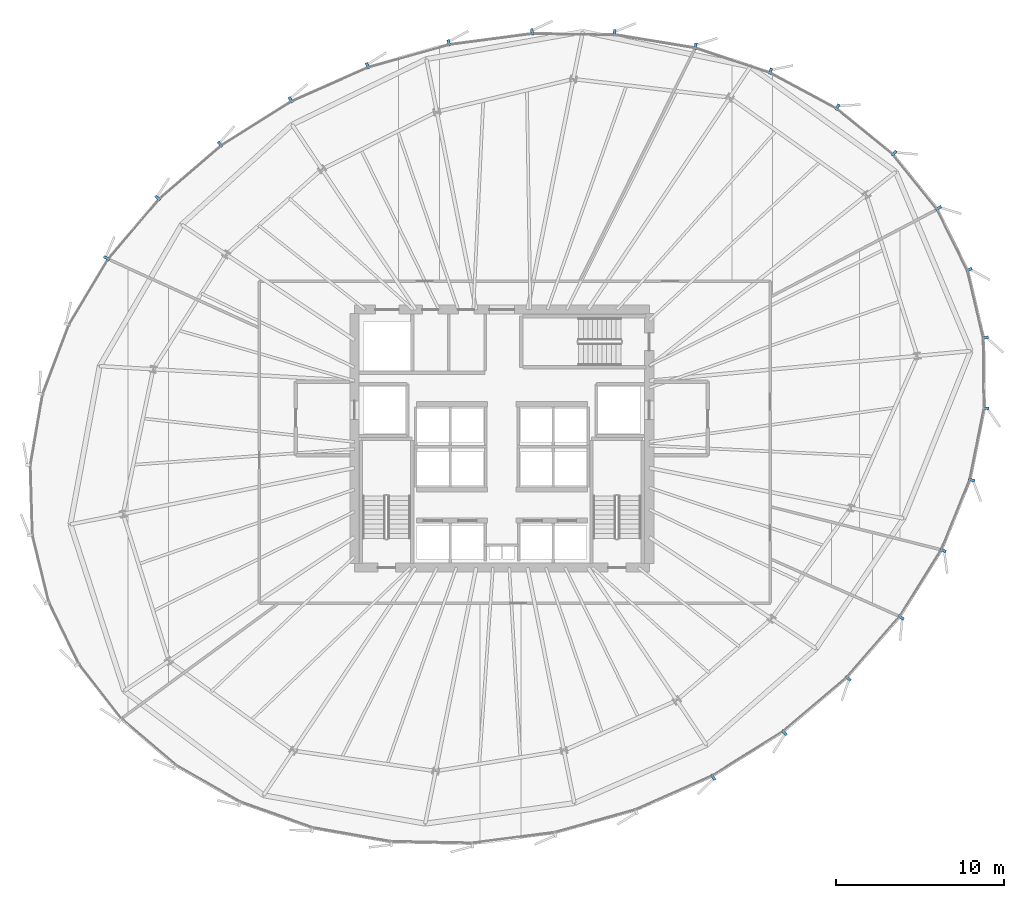
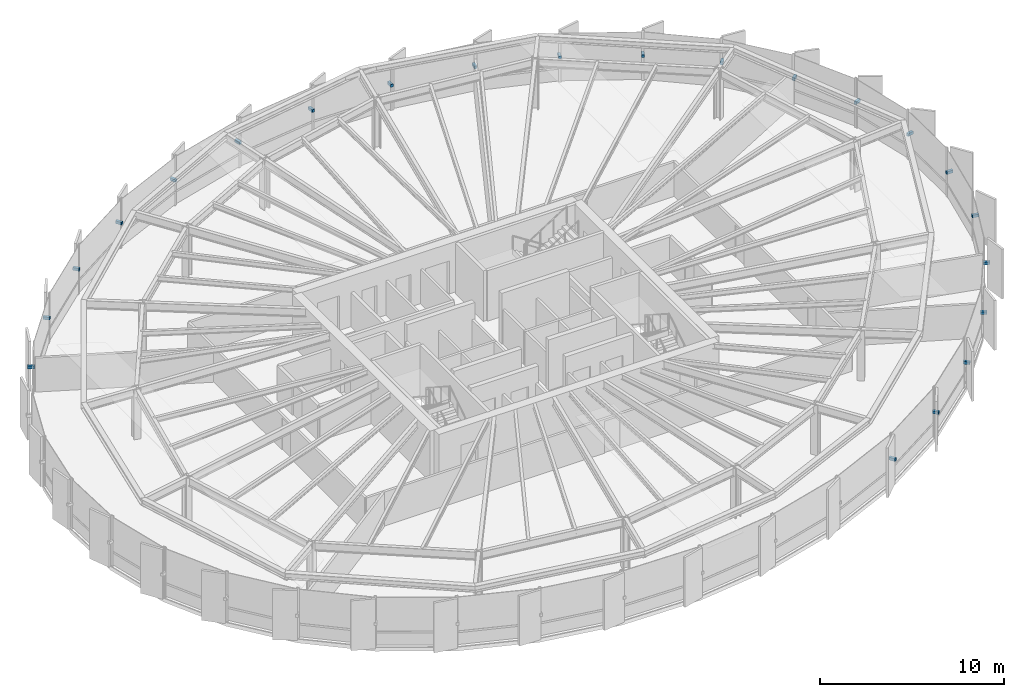
# One storey, part 29 of 33: 22 discrete accessories.
"""IFC4 building model written with IfcOpenShell, lengths in metres."""

import ifcopenshell
import ifcopenshell.guid

model = None  # the IFC model being written
_history = None  # IfcOwnerHistory: only IFC2X3 demands one
_inside = {}  # id of a spatial element -> (the spatial element, [elements in it])
_under = {}  # id of a project, library or spatial element -> (it, [spatial elements below it])
_declared = {}  # id of a project -> (the project, [libraries it declares])
_typed = {}  # id of a type object -> (the type object, [elements of that type])
_made_of = {}  # id of a material, layer set ... -> (it, [elements and type objects made of it])


def new_model(schema):
    """Start an empty IFC model of exactly this schema.

    Asked for "IFC4X3", IfcOpenShell would pick the latest addendum, in which some entities
    have other attributes; the version numbers below select the first issue.
    IFC2X3 requires an IfcOwnerHistory on every rooted entity: one is made here for all.
    """
    global model, _history
    if schema == "IFC4X3":
        model = ifcopenshell.file(schema_version=(4, 3, 0, 0))
    else:
        model = ifcopenshell.file(schema=schema)
    _inside.clear()
    _under.clear()
    _declared.clear()
    _typed.clear()
    _made_of.clear()
    _history = None
    if model.schema == "IFC2X3":
        org = make("IfcOrganization", Name="unknown")
        user = make(
            "IfcPersonAndOrganization",
            ThePerson=make("IfcPerson", FamilyName="unknown"),
            TheOrganization=org,
        )
        app = make(
            "IfcApplication",
            ApplicationDeveloper=org,
            Version="unknown",
            ApplicationFullName="unknown",
            ApplicationIdentifier="unknown",
        )
        _history = make(
            "IfcOwnerHistory",
            OwningUser=user,
            OwningApplication=app,
            ChangeAction="ADDED",
            CreationDate=0,
        )
    return model


def make(cls, **values):
    """One entity of the class cls with the attributes given. An attribute that is None is left unset."""
    return model.create_entity(
        cls, **{name: value for name, value in values.items() if value is not None}
    )


def rooted(cls, **values):
    """An entity with a GlobalId (a new one), such as an element, a storey or a relation."""
    return make(cls, GlobalId=ifcopenshell.guid.new(), OwnerHistory=_history, **values)


def si_unit(unit_type, name, prefix=None):
    """IfcSIUnit, for example si_unit("LENGTHUNIT", "METRE", prefix="MILLI")."""
    return make("IfcSIUnit", UnitType=unit_type, Prefix=prefix, Name=name)


def assignment(units):
    """IfcUnitAssignment: the units of a project."""
    return None if units is None else make("IfcUnitAssignment", Units=units)


def point(xyz):
    """IfcCartesianPoint."""
    return None if xyz is None else make("IfcCartesianPoint", Coordinates=xyz)


def direction(xyz):
    """IfcDirection."""
    return None if xyz is None else make("IfcDirection", DirectionRatios=xyz)


def frame(location, z_axis=None, x_axis=None):
    """IfcAxis2Placement3D, a coordinate frame: its origin and axes. An axis left out is left unset."""
    return make(
        "IfcAxis2Placement3D",
        Location=point(location),
        Axis=direction(z_axis),
        RefDirection=direction(x_axis),
    )


def frame_2d(location, x_axis=None):
    """IfcAxis2Placement2D, a coordinate frame in the plane: its origin and x axis."""
    return make(
        "IfcAxis2Placement2D", Location=point(location), RefDirection=direction(x_axis)
    )


def origin():
    """The frame at (0, 0, 0) with its axes left unset."""
    return frame((0.0, 0.0, 0.0))


def origin_2d():
    """The frame at (0, 0) in the plane with its x axis left unset."""
    return frame_2d((0.0, 0.0))


def place(relative_to, where):
    """IfcLocalPlacement: puts the frame where relative to a parent placement (None: the world)."""
    return make(
        "IfcLocalPlacement", PlacementRelTo=relative_to, RelativePlacement=where
    )


def context(
    kind, dimensions, precision=None, world=None, true_north=None, identifier=None
):
    """IfcGeometricRepresentationContext, for example the 3D "Model" context."""
    return make(
        "IfcGeometricRepresentationContext",
        ContextIdentifier=identifier,
        ContextType=kind,
        CoordinateSpaceDimension=dimensions,
        Precision=precision,
        WorldCoordinateSystem=world,
        TrueNorth=true_north,
    )


def subcontext(parent, identifier, kind, view, scale=None):
    """IfcGeometricRepresentationSubContext, for example "Body" below "Model"."""
    return make(
        "IfcGeometricRepresentationSubContext",
        ContextIdentifier=identifier,
        ContextType=kind,
        ParentContext=parent,
        TargetScale=scale,
        TargetView=view,
    )


def project(units=None, contexts=None):
    """IfcProject with its units and contexts."""
    return rooted(
        "IfcProject",
        Name="project",
        RepresentationContexts=contexts,
        UnitsInContext=assignment(units),
    )


def spatial(cls, under=None, at=None, **own):
    """A site, building, storey or space (cls), placed at a placement, below another one or the project."""
    s = rooted(cls, ObjectPlacement=at, **own)
    if under is not None:
        _under.setdefault(under.id(), (under, []))[1].append(s)
    return s


def profile(cls, at=None, kind="AREA", **sizes):
    """A parametric profile (cls). Its sizes go by their IFC names, for example OverallWidth=200.0."""
    return make(cls, ProfileType=kind, Position=at, **sizes)


def rectangle(**sizes):
    """IfcRectangleProfileDef."""
    return profile("IfcRectangleProfileDef", **sizes)


def extrude(swept, where, along, depth):
    """IfcExtrudedAreaSolid: the profile swept, set in the frame where, extruded along a direction by depth."""
    return make(
        "IfcExtrudedAreaSolid",
        SweptArea=swept,
        Position=where,
        ExtrudedDirection=direction(along),
        Depth=depth,
    )


def shape(context_of_items, identifier, shape_type, items):
    """IfcShapeRepresentation: the items that make up one representation, for example the "Body"."""
    return make(
        "IfcShapeRepresentation",
        ContextOfItems=context_of_items,
        RepresentationIdentifier=identifier,
        RepresentationType=shape_type,
        Items=items,
    )


def source(mapping_origin, context_of_items, identifier, shape_type, items):
    """IfcRepresentationMap: a shape defined once, which mapped items show again and again."""
    return make(
        "IfcRepresentationMap",
        MappingOrigin=mapping_origin,
        MappedRepresentation=shape(context_of_items, identifier, shape_type, items),
    )


def transform(
    local_origin,
    x_axis=None,
    y_axis=None,
    z_axis=None,
    scale=None,
    scale2=None,
    scale3=None,
    uniform=True,
):
    """IfcCartesianTransformationOperator3D, or its non-uniform kind. x_axis, y_axis, z_axis: its Axis1, 2, 3."""
    if uniform:
        return make(
            "IfcCartesianTransformationOperator3D",
            Axis1=direction(x_axis),
            Axis2=direction(y_axis),
            LocalOrigin=point(local_origin),
            Scale=scale,
            Axis3=direction(z_axis),
        )
    return make(
        "IfcCartesianTransformationOperator3DnonUniform",
        Axis1=direction(x_axis),
        Axis2=direction(y_axis),
        LocalOrigin=point(local_origin),
        Scale=scale,
        Axis3=direction(z_axis),
        Scale2=scale2,
        Scale3=scale3,
    )


def mapped(mapping_source, mapping_target):
    """IfcMappedItem: shows the shape of a source again, moved by a transform."""
    return make(
        "IfcMappedItem", MappingSource=mapping_source, MappingTarget=mapping_target
    )


def material(Name=None, Category=None):
    """IfcMaterial."""
    return make("IfcMaterial", Name=Name, Category=Category)


def made_of(thing, what):
    """Note that an element or type object is made of a material, layer set ...; save() writes the relation."""
    if what is not None:
        _made_of.setdefault(what.id(), (what, []))[1].append(thing)
    return thing


def type_object(cls, material=None, **own):
    """A type object (cls), such as IfcWallType, which elements share."""
    return made_of(rooted(cls, **own), material)


def element(
    cls,
    number,
    at=None,
    inside=None,
    cuts=None,
    type_object=None,
    material=None,
    context=None,
    identifier="Body",
    shape_type=None,
    held_by="IfcProductDefinitionShape",
    body=None,
    shapes=None,
    **own,
):
    """One element of the class cls, such as IfcWall. Its Tag is "e" and its number.

    at: its placement. inside: the storey or other place that contains it. cuts: it is an
    opening in that element (IfcRelVoidsElement). A single representation is given by context,
    identifier, shape_type and body (its items); several are given by shapes. held_by: the class
    of the entity that holds the representations. save() writes the other relations.
    """
    e = rooted(cls, Tag="e%d" % number, ObjectPlacement=at, **own)
    if body is not None:
        shapes = [shape(context, identifier, shape_type, body)]
    if shapes is not None:
        e.Representation = make(held_by, Representations=shapes)
    if inside is not None:
        _inside.setdefault(inside.id(), (inside, []))[1].append(e)
    if cuts is not None:
        rooted(
            "IfcRelVoidsElement", RelatingBuildingElement=cuts, RelatedOpeningElement=e
        )
    if type_object is not None:
        _typed.setdefault(type_object.id(), (type_object, []))[1].append(e)
    return made_of(e, material)


def aggregate(whole, parts):
    """IfcRelAggregates: a whole, such as a stair, and the parts it consists of."""
    return rooted("IfcRelAggregates", RelatingObject=whole, RelatedObjects=parts)


def save(model, path):
    """Write the relations noted so far, then the file.

    IfcRelAggregates (storeys below a building ...), IfcRelContainedInSpatialStructure (elements
    in a storey), IfcRelDefinesByType, IfcRelAssociatesMaterial and IfcRelDeclares: one each for
    every whole, place, type object, material and project.
    """
    for whole, parts in _under.values():
        aggregate(whole, parts)
    for where, things in _inside.values():
        rooted(
            "IfcRelContainedInSpatialStructure",
            RelatedElements=things,
            RelatingStructure=where,
        )
    for kind, things in _typed.values():
        rooted("IfcRelDefinesByType", RelatedObjects=things, RelatingType=kind)
    for what, things in _made_of.values():
        rooted("IfcRelAssociatesMaterial", RelatedObjects=things, RelatingMaterial=what)
    for by, libraries in _declared.values():
        rooted("IfcRelDeclares", RelatingContext=by, RelatedDefinitions=libraries)
    model.write(path)


model = new_model("IFC4")

# Units and contexts
model_context = context("Model", 3, precision=1e-05, world=origin(), true_north=direction((0.0, 1.0)))
body_context = subcontext(model_context, "Body", "Model", "MODEL_VIEW")
ifc_project = project(units=[si_unit("LENGTHUNIT", "METRE"), si_unit("AREAUNIT", "SQUARE_METRE"), si_unit("VOLUMEUNIT", "CUBIC_METRE"), si_unit("PLANEANGLEUNIT", "RADIAN"), si_unit("MASSUNIT", "GRAM", prefix="KILO"), si_unit("THERMODYNAMICTEMPERATUREUNIT", "KELVIN")], contexts=[model_context])

# Site, building, storey
site_placement = place(None, origin())
site = spatial("IfcSite", under=ifc_project, at=site_placement, CompositionType="ELEMENT")
building_placement = place(site_placement, origin())
building = spatial("IfcBuilding", under=site, at=building_placement, Name="Kethvar Cultural Tower", CompositionType="ELEMENT")
storey_placement = place(building_placement, frame((0.0, 0.0, 114.39990234375)))
storey = spatial("IfcBuildingStorey", under=building, at=storey_placement, Name="L28", CompositionType="ELEMENT", Elevation=114.39990234375)

# Discrete accessories
ifc_material = material(Name="Steel S355J2", Category="steel")
discrete_accessory_type = type_object("IfcDiscreteAccessoryType", Name="Steel Fin Bracket BRK-01", PredefinedType="BRACKET", material=ifc_material)
shared_shape = source(origin(), body_context, "Body", "SweptSolid", [
    extrude(rectangle(XDim=0.3798828125, YDim=0.159912109375, at=origin_2d()), origin(), (0.0, 0.0, 1.0), 0.179931640625),
])
for number, where, z_axis, x_axis, name in (
    (1, (74.6875, 37.882568359375, 1.5849609375), (0.0, 0.0, 1.0), (0.896409086219, 0.443227650474, 0.0), "L28 Terracotta Fin Bracket 1.1"),
    (2, (72.871826171875, 41.5546875, 1.5849609375), (0.0, 0.0, 1.0), (0.777145961457, 0.62932039105, 0.0), "L28 Terracotta Fin Bracket 1.2"),
    (3, (70.216796875, 44.8330078125, 1.5849609375), (0.0, 0.0, 1.0), (0.630946660302, 0.775826212405, 0.0), "L28 Terracotta Fin Bracket 1.3"),
    (4, (66.831298828125, 47.58642578125, 1.5849609375), (0.0, 0.0, 1.0), (0.473780835594, 0.880642787868, 0.0), "L28 Terracotta Fin Bracket 1.4"),
    (5, (62.833251953125, 49.7373046875, 1.5849609375), (0.0, 0.0, 1.0), (0.315980237922, 0.948765771538, 0.0), "L28 Terracotta Fin Bracket 1.5"),
    (6, (58.361572265625, 51.226318359375, 1.5849609375), (0.0, 0.0, 1.0), (0.162120515372, 0.986770965572, 0.0), "L28 Terracotta Fin Bracket 1.6"),
    (7, (53.5283203125, 52.0146484375, 1.5849609375), (0.0, 0.0, 1.0), (0.013264113344, 0.999912027779, 0.0), "L28 Terracotta Fin Bracket 2.1"),
    (8, (48.60595703125, 52.080078125, 1.5849609375), (0.0, 0.0, 1.0), (-0.130872263805, 0.991399238736, 0.0), "L28 Terracotta Fin Bracket 2.2"),
    (9, (43.630859375, 51.423095703125, 1.5849609375), (0.0, 0.0, 1.0), (-0.27076846326, 0.962644503077, 0.0), "L28 Terracotta Fin Bracket 2.3"),
    (10, (38.78515625, 50.060546875, 1.5849609375), (0.0, 0.0, 1.0), (-0.40514158678, 0.914253955234, 0.0), "L28 Terracotta Fin Bracket 2.4"),
    (11, (34.192138671875, 48.02490234375, 1.5849609375), (0.0, 0.0, 1.0), (-0.532728579387, 0.846286157694, 0.0), "L28 Terracotta Fin Bracket 2.5"),
    (12, (29.982177734375, 45.37451171875, 1.5849609375), (0.0, 0.0, 1.0), (-0.652363002904, 0.75790666473, 0.0), "L28 Terracotta Fin Bracket 2.6"),
    (13, (26.2578125, 42.160888671875, 1.5849609375), (0.0, 0.0, 1.0), (-0.762216599426, 0.647322064787, 0.0), "L28 Terracotta Fin Bracket 3.1"),
    (14, (23.20751953125, 38.569091796875, 1.5849609375), (0.0, 0.0, 1.0), (-0.858423216017, 0.512942084648, 0.0), "L28 Terracotta Fin Bracket 3.2"),
    (15, (59.41748046875, 7.57861328125, 1.5849609375), (0.0, 0.0, 1.0), (0.531102845816, -0.847307362866, 0.0), "L28 Terracotta Fin Bracket 5.5"),
    (16, (63.669189453125, 10.243896484375, 1.5849609375), (0.0, 0.0, 1.0), (0.64758808913, -0.761990594967, 0.0), "L28 Terracotta Fin Bracket 5.6"),
    (17, (67.475341796875, 13.48681640625, 1.5849609375), (0.0, 0.0, 1.0), (0.753907489863, -0.656980590831, 0.0), "L28 Terracotta Fin Bracket 6.1"),
    (18, (70.641845703125, 17.120361328125, 1.5849609375), (0.0, 0.0, 1.0), (0.848233021205, -0.529623207325, 0.0), "L28 Terracotta Fin Bracket 6.2"),
    (19, (73.13818359375, 21.118408203125, 1.5849609375), (0.0, 0.0, 1.0), (0.926397247385, -0.376547659716, 0.0), "L28 Terracotta Fin Bracket 6.3"),
    (20, (74.847412109375, 25.324462890625, 1.5849609375), (0.0, 0.0, 1.0), (0.98068299691, -0.195603833222, 0.0), "L28 Terracotta Fin Bracket 6.4"),
    (21, (75.700439453125, 29.6044921875, 1.5849609375), (0.0, 0.0, 1.0), (0.999945169366, 0.010471784116, 0.0), "L28 Terracotta Fin Bracket 6.5"),
    (22, (75.656005859375, 33.822998046875, 1.5849609375), (0.0, 0.0, 1.0), (0.973219009208, 0.22987988193, 0.0), "L28 Terracotta Fin Bracket 6.6"),
):
    element("IfcDiscreteAccessory", number, at=place(storey_placement, frame(where, z_axis=z_axis, x_axis=x_axis)), inside=storey, type_object=discrete_accessory_type, Name=name, PredefinedType="BRACKET", context=body_context, shape_type="MappedRepresentation", body=[
        mapped(shared_shape, transform((0.0, 0.0, 0.0), scale=1.0)),
    ])

save(model, "model.ifc")
